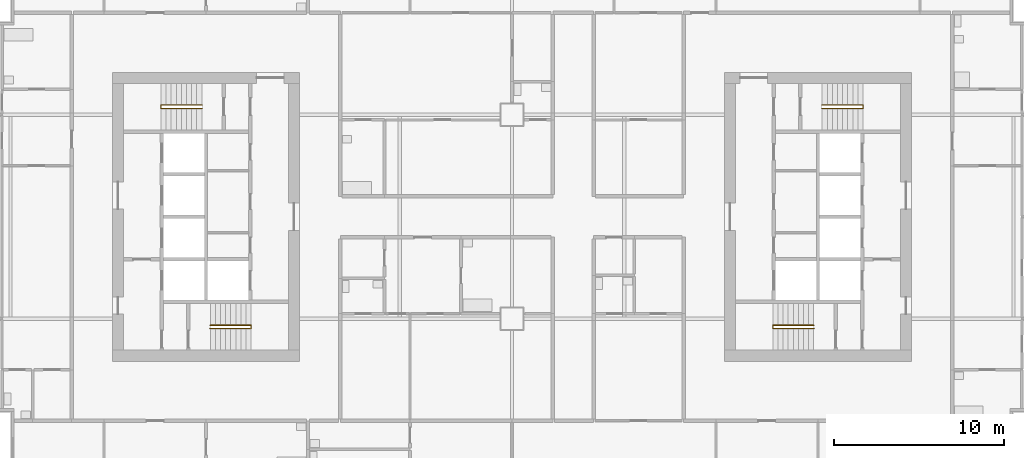
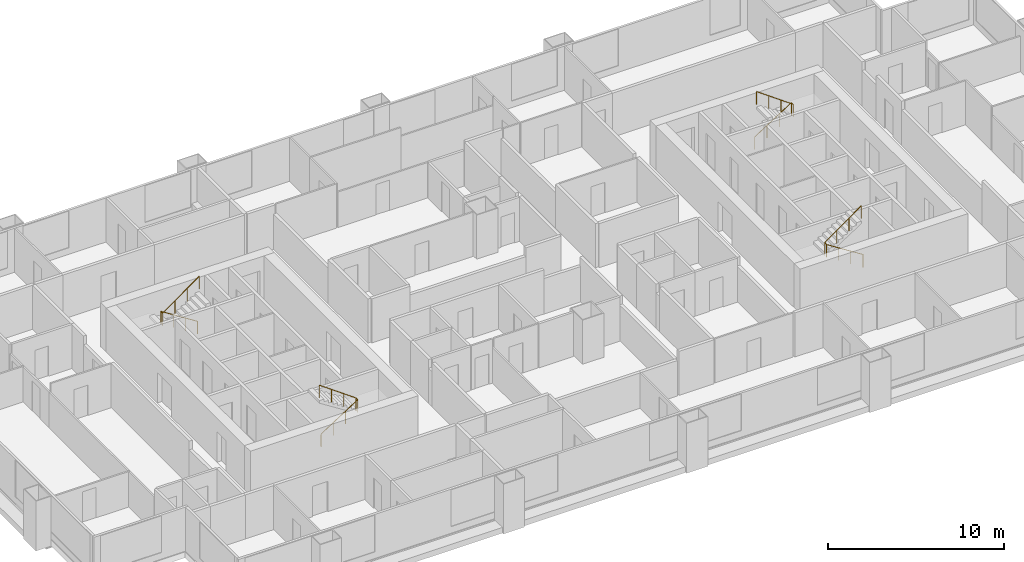
# One storey, part 10 of 11: 4 railings.
"""IFC4 building model written with IfcOpenShell, lengths in metres."""

from ifc_helpers import new_model, si_unit, direction, frame, origin, origin_2d, place, context, subcontext, project, spatial, circle, extrude, material, type_object, element, save


model = new_model("IFC4")

# Units and contexts
model_context = context("Model", 3, precision=1e-05, world=origin(), true_north=direction((0.0, 1.0)))
body_context = subcontext(model_context, "Body", "Model", "MODEL_VIEW")
ifc_project = project(units=[si_unit("LENGTHUNIT", "METRE"), si_unit("AREAUNIT", "SQUARE_METRE"), si_unit("VOLUMEUNIT", "CUBIC_METRE"), si_unit("PLANEANGLEUNIT", "RADIAN"), si_unit("MASSUNIT", "GRAM", prefix="KILO")], contexts=[model_context])

# Site, building, storey
site_placement = place(None, origin())
site = spatial("IfcSite", under=ifc_project, at=site_placement, CompositionType="ELEMENT")
building_placement = place(site_placement, origin())
building = spatial("IfcBuilding", under=site, at=building_placement, Name="Kitamizu Gate Tower and Museum", CompositionType="ELEMENT")
storey_placement = place(building_placement, frame((0.0, 0.0, 138.0)))
storey = spatial("IfcBuildingStorey", under=building, at=storey_placement, Name="L36", CompositionType="ELEMENT", Elevation=138.0)

# Railings
ifc_material = material(Name="Stainless steel SUS304", Category="steel")
railing_type = type_object("IfcRailingType", Name="Stair handrail 900", PredefinedType="HANDRAIL", material=ifc_material)
railing_1_placement = place(storey_placement, frame((18.25, 23.425048828125, 0.191650390625)))
element("IfcRailing", 1, at=railing_1_placement, inside=storey, type_object=railing_type, Name="Stair handrail ST1", PredefinedType="HANDRAIL", context=body_context, shape_type="SweptSolid", body=[
    extrude(circle(Radius=0.02392578125, at=origin_2d()), frame((0.0, 0.0, 0.8759765625), z_axis=(0.842668169335, 0.0, 0.538433242278), x_axis=(0.0, 1.0, 0.0)), (0.0, 0.0, 1.0), 2.847900390625),
    extrude(circle(Radius=0.02392578125, at=origin_2d()), frame((2.39990234375, 0.0, 2.4091796875), z_axis=(0.0, 1.0, 0.0), x_axis=(-1.0, 0.0, 0.0)), (0.0, 0.0, 1.0), 0.199951171875),
    extrude(circle(Radius=0.02392578125, at=origin_2d()), frame((2.39990234375, 0.199951171875, 2.4091796875), z_axis=(-0.81202760531, 0.0, 0.583619026604), x_axis=(0.0, -1.0, 0.0)), (0.0, 0.0, 1.0), 2.955322265625),
    extrude(circle(Radius=0.02099609375, at=origin_2d()), origin(), (0.0, 0.0, 1.0), 0.851806640625),
    extrude(circle(Radius=0.02099609375, at=origin_2d()), frame((0.800048828125, 0.0, 0.51123046875)), (0.0, 0.0, 1.0), 0.851806640625),
    extrude(circle(Radius=0.02099609375, at=origin_2d()), frame((1.599853515625, 0.0, 1.022216796875)), (0.0, 0.0, 1.0), 0.851806640625),
    extrude(circle(Radius=0.02099609375, at=origin_2d()), frame((2.39990234375, 0.0, 1.533447265625)), (0.0, 0.0, 1.0), 0.851806640625),
    extrude(circle(Radius=0.02099609375, at=origin_2d()), frame((2.39990234375, 0.199951171875, 1.533447265625)), (0.0, 0.0, 1.0), 0.851806640625),
    extrude(circle(Radius=0.02099609375, at=origin_2d()), frame((1.599853515625, 0.199951171875, 2.1083984375)), (0.0, 0.0, 1.0), 0.851806640625),
    extrude(circle(Radius=0.02099609375, at=origin_2d()), frame((0.800048828125, 0.199951171875, 2.683349609375)), (0.0, 0.0, 1.0), 0.851806640625),
    extrude(circle(Radius=0.02099609375, at=origin_2d()), frame((0.0, 0.199951171875, 3.25830078125)), (0.0, 0.0, 1.0), 0.851806640625),
])
railing_2_placement = place(storey_placement, frame((17.75, 36.574951171875, 0.191650390625)))
element("IfcRailing", 2, at=railing_2_placement, inside=storey, type_object=railing_type, Name="Stair handrail ST2", PredefinedType="HANDRAIL", context=body_context, shape_type="SweptSolid", body=[
    extrude(circle(Radius=0.02392578125, at=origin_2d()), frame((0.0, 0.0, 0.8759765625), z_axis=(-0.842668169335, 0.0, 0.538433242278), x_axis=(0.0, -1.0, 0.0)), (0.0, 0.0, 1.0), 2.847900390625),
    extrude(circle(Radius=0.02392578125, at=origin_2d()), frame((-2.39990234375, 0.0, 2.4091796875), z_axis=(0.0, -1.0, 0.0), x_axis=(1.0, 0.0, 0.0)), (0.0, 0.0, 1.0), 0.199951171875),
    extrude(circle(Radius=0.02392578125, at=origin_2d()), frame((-2.39990234375, -0.199951171875, 2.4091796875), z_axis=(0.81202760531, 0.0, 0.583619026604), x_axis=(0.0, 1.0, 0.0)), (0.0, 0.0, 1.0), 2.955322265625),
    extrude(circle(Radius=0.02099609375, at=origin_2d()), origin(), (0.0, 0.0, 1.0), 0.851806640625),
    extrude(circle(Radius=0.02099609375, at=origin_2d()), frame((-0.800048828125, 0.0, 0.51123046875)), (0.0, 0.0, 1.0), 0.851806640625),
    extrude(circle(Radius=0.02099609375, at=origin_2d()), frame((-1.599853515625, 0.0, 1.022216796875)), (0.0, 0.0, 1.0), 0.851806640625),
    extrude(circle(Radius=0.02099609375, at=origin_2d()), frame((-2.39990234375, 0.0, 1.533447265625)), (0.0, 0.0, 1.0), 0.851806640625),
    extrude(circle(Radius=0.02099609375, at=origin_2d()), frame((-2.39990234375, -0.199951171875, 1.533447265625)), (0.0, 0.0, 1.0), 0.851806640625),
    extrude(circle(Radius=0.02099609375, at=origin_2d()), frame((-1.599853515625, -0.199951171875, 2.1083984375)), (0.0, 0.0, 1.0), 0.851806640625),
    extrude(circle(Radius=0.02099609375, at=origin_2d()), frame((-0.800048828125, -0.199951171875, 2.683349609375)), (0.0, 0.0, 1.0), 0.851806640625),
    extrude(circle(Radius=0.02099609375, at=origin_2d()), frame((0.0, -0.199951171875, 3.25830078125)), (0.0, 0.0, 1.0), 0.851806640625),
])
railing_3_placement = place(storey_placement, frame((53.75, 23.425048828125, 0.191650390625)))
element("IfcRailing", 3, at=railing_3_placement, inside=storey, type_object=railing_type, Name="Stair handrail ST3", PredefinedType="HANDRAIL", context=body_context, shape_type="SweptSolid", body=[
    extrude(circle(Radius=0.02392578125, at=origin_2d()), frame((0.0, 0.0, 0.8759765625), z_axis=(-0.842668169335, 0.0, 0.538433242278), x_axis=(0.0, -1.0, 0.0)), (0.0, 0.0, 1.0), 2.847900390625),
    extrude(circle(Radius=0.02392578125, at=origin_2d()), frame((-2.39990234375, 0.0, 2.4091796875), z_axis=(0.0, 1.0, 0.0), x_axis=(-1.0, 0.0, 0.0)), (0.0, 0.0, 1.0), 0.199951171875),
    extrude(circle(Radius=0.02392578125, at=origin_2d()), frame((-2.39990234375, 0.199951171875, 2.4091796875), z_axis=(0.81202760531, 0.0, 0.583619026604), x_axis=(0.0, 1.0, 0.0)), (0.0, 0.0, 1.0), 2.955322265625),
    extrude(circle(Radius=0.02099609375, at=origin_2d()), origin(), (0.0, 0.0, 1.0), 0.851806640625),
    extrude(circle(Radius=0.02099609375, at=origin_2d()), frame((-0.800048828125, 0.0, 0.51123046875)), (0.0, 0.0, 1.0), 0.851806640625),
    extrude(circle(Radius=0.02099609375, at=origin_2d()), frame((-1.599853515625, 0.0, 1.022216796875)), (0.0, 0.0, 1.0), 0.851806640625),
    extrude(circle(Radius=0.02099609375, at=origin_2d()), frame((-2.39990234375, 0.0, 1.533447265625)), (0.0, 0.0, 1.0), 0.851806640625),
    extrude(circle(Radius=0.02099609375, at=origin_2d()), frame((-2.39990234375, 0.199951171875, 1.533447265625)), (0.0, 0.0, 1.0), 0.851806640625),
    extrude(circle(Radius=0.02099609375, at=origin_2d()), frame((-1.599853515625, 0.199951171875, 2.1083984375)), (0.0, 0.0, 1.0), 0.851806640625),
    extrude(circle(Radius=0.02099609375, at=origin_2d()), frame((-0.800048828125, 0.199951171875, 2.683349609375)), (0.0, 0.0, 1.0), 0.851806640625),
    extrude(circle(Radius=0.02099609375, at=origin_2d()), frame((0.0, 0.199951171875, 3.25830078125)), (0.0, 0.0, 1.0), 0.851806640625),
])
railing_4_placement = place(storey_placement, frame((54.25, 36.574951171875, 0.191650390625)))
element("IfcRailing", 4, at=railing_4_placement, inside=storey, type_object=railing_type, Name="Stair handrail ST4", PredefinedType="HANDRAIL", context=body_context, shape_type="SweptSolid", body=[
    extrude(circle(Radius=0.02392578125, at=origin_2d()), frame((0.0, 0.0, 0.8759765625), z_axis=(0.842668169335, 0.0, 0.538433242278), x_axis=(0.0, 1.0, 0.0)), (0.0, 0.0, 1.0), 2.847900390625),
    extrude(circle(Radius=0.02392578125, at=origin_2d()), frame((2.39990234375, 0.0, 2.4091796875), z_axis=(0.0, -1.0, 0.0), x_axis=(1.0, 0.0, 0.0)), (0.0, 0.0, 1.0), 0.199951171875),
    extrude(circle(Radius=0.02392578125, at=origin_2d()), frame((2.39990234375, -0.199951171875, 2.4091796875), z_axis=(-0.81202760531, 0.0, 0.583619026604), x_axis=(0.0, -1.0, 0.0)), (0.0, 0.0, 1.0), 2.955322265625),
    extrude(circle(Radius=0.02099609375, at=origin_2d()), origin(), (0.0, 0.0, 1.0), 0.851806640625),
    extrude(circle(Radius=0.02099609375, at=origin_2d()), frame((0.800048828125, 0.0, 0.51123046875)), (0.0, 0.0, 1.0), 0.851806640625),
    extrude(circle(Radius=0.02099609375, at=origin_2d()), frame((1.599853515625, 0.0, 1.022216796875)), (0.0, 0.0, 1.0), 0.851806640625),
    extrude(circle(Radius=0.02099609375, at=origin_2d()), frame((2.39990234375, 0.0, 1.533447265625)), (0.0, 0.0, 1.0), 0.851806640625),
    extrude(circle(Radius=0.02099609375, at=origin_2d()), frame((2.39990234375, -0.199951171875, 1.533447265625)), (0.0, 0.0, 1.0), 0.851806640625),
    extrude(circle(Radius=0.02099609375, at=origin_2d()), frame((1.599853515625, -0.199951171875, 2.1083984375)), (0.0, 0.0, 1.0), 0.851806640625),
    extrude(circle(Radius=0.02099609375, at=origin_2d()), frame((0.800048828125, -0.199951171875, 2.683349609375)), (0.0, 0.0, 1.0), 0.851806640625),
    extrude(circle(Radius=0.02099609375, at=origin_2d()), frame((0.0, -0.199951171875, 3.25830078125)), (0.0, 0.0, 1.0), 0.851806640625),
])

save(model, "model.ifc")
